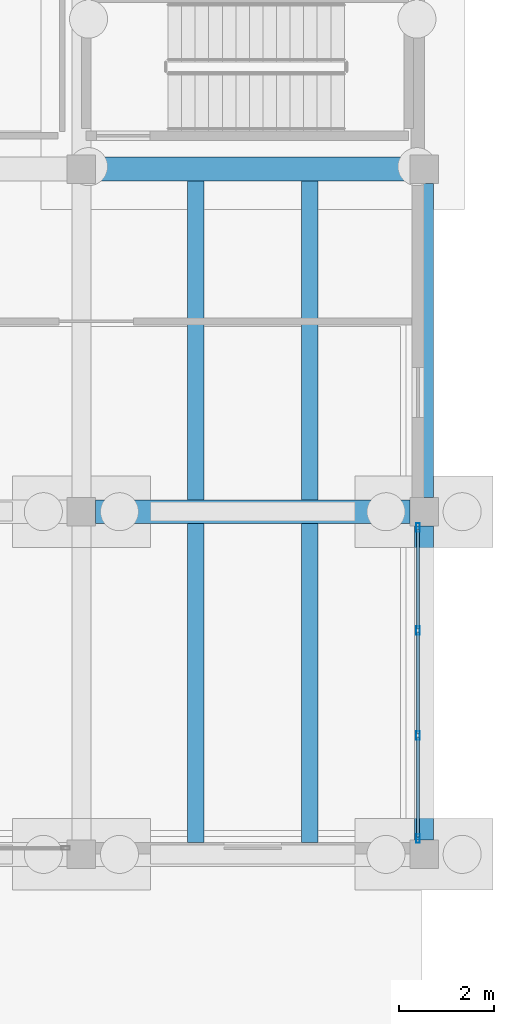
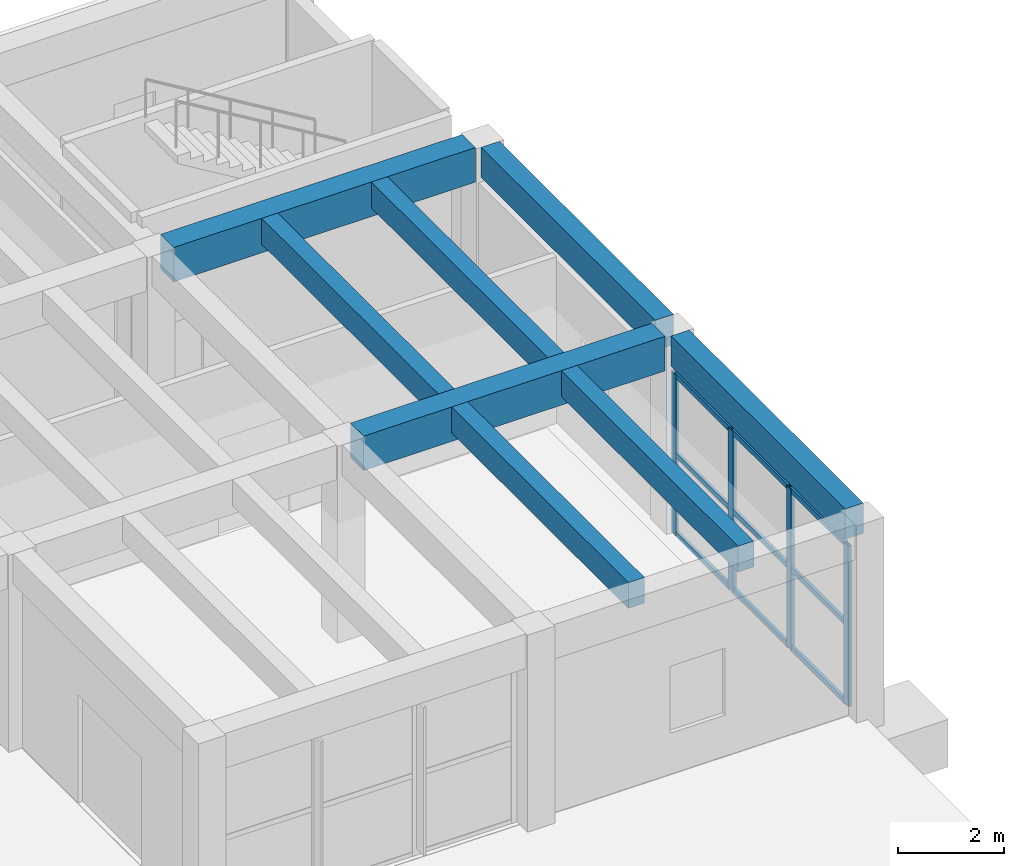
# One storey, part 107 of 155: 13 members, 8 beams, 1 element without a shape of its own.
"""IFC4 building model written with IfcOpenShell, lengths in metres."""

from ifc_helpers import new_model, si_unit, direction, frame, origin, origin_2d, place, context, subcontext, project, spatial, rectangle, hollow_rectangle, extrude, material, material_profile, profile_set, type_object, element, aggregate, save


model = new_model("IFC4")

# Units and contexts
model_context = context("Model", 3, precision=1e-05, world=origin(), true_north=direction((0.0, 1.0)))
body_context = subcontext(model_context, "Body", "Model", "MODEL_VIEW")
ifc_project = project(units=[si_unit("LENGTHUNIT", "METRE"), si_unit("AREAUNIT", "SQUARE_METRE"), si_unit("VOLUMEUNIT", "CUBIC_METRE"), si_unit("PLANEANGLEUNIT", "RADIAN"), si_unit("MASSUNIT", "GRAM", prefix="KILO")], contexts=[model_context])

# Site, building, storey
site_placement = place(None, origin())
site = spatial("IfcSite", under=ifc_project, at=site_placement, CompositionType="ELEMENT")
building_placement = place(site_placement, origin())
building = spatial("IfcBuilding", under=site, at=building_placement, Name="Bramvelor Terrace Health Centre", CompositionType="ELEMENT")
storey_placement = place(building_placement, origin())
storey = spatial("IfcBuildingStorey", under=building, at=storey_placement, Name="L01", CompositionType="ELEMENT", Elevation=0.0)

# Beams
ifc_material_1 = material(Name="Concrete C40/50", Category="concrete")
ifc_material_profile_1 = material_profile(ifc_material_1, rectangle(XDim=0.5, YDim=0.800048828125, at=origin_2d()), Name="RC 500x800")
ifc_profile_set_1 = profile_set([ifc_material_profile_1], Name="Concrete C40/50")
beam_type_1 = type_object("IfcBeamType", Name="BM-RC-G800", PredefinedType="BEAM", material=ifc_profile_set_1)
for number, where, z_axis, x_axis, name in (
    (1, (158.699951171875, 50.39990234375, 4.159912109375), (1.0, 0.0, 0.0), (0.0, 1.0, 0.0), "L01 Floor Girder"),
    (2, (158.699951171875, 57.60009765625, 4.159912109375), (1.0, 0.0, 0.0), (0.0, 1.0, 0.0), "L01 Floor Girder"),
):
    element("IfcBeam", number, at=place(storey_placement, frame(where, z_axis=z_axis, x_axis=x_axis)), inside=storey, type_object=beam_type_1, Name=name, PredefinedType="BEAM", context=body_context, shape_type="SweptSolid", body=[
        extrude(rectangle(XDim=0.5, YDim=0.800048828125, at=origin_2d()), origin(), (0.0, 0.0, 1.0), 6.60009765625),
    ])
ifc_material_2 = material(Name="Concrete C40/50", Category="concrete")
ifc_material_profile_2 = material_profile(ifc_material_2, rectangle(XDim=0.35009765625, YDim=0.60009765625, at=origin_2d()), Name="RC 350x600")
ifc_profile_set_2 = profile_set([ifc_material_profile_2], Name="Concrete C40/50")
beam_type_2 = type_object("IfcBeamType", Name="BM-RC-J600", PredefinedType="JOIST", material=ifc_profile_set_2)
for number, where, z_axis, x_axis, name in (
    (3, (160.800048828125, 43.449951171875, 4.260009765625), (0.0, 1.0, 0.0), (-1.0, 0.0, 0.0), "L01 Secondary Floor Joist"),
    (4, (163.199951171875, 43.449951171875, 4.260009765625), (0.0, 1.0, 0.0), (-1.0, 0.0, 0.0), "L01 Secondary Floor Joist"),
):
    element("IfcBeam", number, at=place(storey_placement, frame(where, z_axis=z_axis, x_axis=x_axis)), inside=storey, type_object=beam_type_2, Name=name, PredefinedType="JOIST", context=body_context, shape_type="SweptSolid", body=[
        extrude(rectangle(XDim=0.35009765625, YDim=0.60009765625, at=origin_2d()), origin(), (0.0, 0.0, 1.0), 6.699951171875),
    ])
for number, where, z_axis, x_axis, name in (
    (5, (160.800048828125, 50.64990234375, 4.260009765625), (0.0, 1.0, 0.0), (-1.0, 0.0, 0.0), "L01 Secondary Floor Joist"),
    (6, (163.199951171875, 50.64990234375, 4.260009765625), (0.0, 1.0, 0.0), (-1.0, 0.0, 0.0), "L01 Secondary Floor Joist"),
):
    element("IfcBeam", number, at=place(storey_placement, frame(where, z_axis=z_axis, x_axis=x_axis)), inside=storey, type_object=beam_type_2, Name=name, PredefinedType="JOIST", context=body_context, shape_type="SweptSolid", body=[
        extrude(rectangle(XDim=0.35009765625, YDim=0.60009765625, at=origin_2d()), origin(), (0.0, 0.0, 1.0), 6.7001953125),
    ])
ifc_material_3 = material(Name="Concrete C40/50", Category="concrete")
ifc_material_profile_3 = material_profile(ifc_material_3, rectangle(XDim=0.39990234375, YDim=0.699951171875, at=origin_2d()), Name="RC 400x700")
ifc_profile_set_3 = profile_set([ifc_material_profile_3], Name="Concrete C40/50")
beam_type_3 = type_object("IfcBeamType", Name="BM-RC-SP700-EXT", PredefinedType="SPANDREL", material=ifc_profile_set_3)
for number, where, z_axis, x_axis, name in (
    (7, (165.60009765625, 43.5, 4.2099609375), (0.0, 1.0, 0.0), (-1.0, 0.0, 0.0), "L01 Floor Girder"),
    (8, (165.60009765625, 50.699951171875, 4.2099609375), (0.0, 1.0, 0.0), (-1.0, 0.0, 0.0), "L01 Floor Girder"),
):
    element("IfcBeam", number, at=place(storey_placement, frame(where, z_axis=z_axis, x_axis=x_axis)), inside=storey, type_object=beam_type_3, Name=name, PredefinedType="SPANDREL", context=body_context, shape_type="SweptSolid", body=[
        extrude(rectangle(XDim=0.39990234375, YDim=0.699951171875, at=origin_2d()), origin(), (0.0, 0.0, 1.0), 6.60009765625),
    ])

# Curtain wall, members
ifc_material_4 = material(Name="Anodized aluminium and double low-E glass", Category="aluminium")
curtain_wall_type = type_object("IfcCurtainWallType", Name="CW-SYS-02", PredefinedType="NOTDEFINED", material=ifc_material_4)
curtain_wall_placement = place(storey_placement, origin())
curtain_wall = element("IfcCurtainWall", 9, at=curtain_wall_placement, inside=storey, type_object=curtain_wall_type, Name="L01 Unitized Curtain Wall 40", PredefinedType="NOTDEFINED")
ifc_material_5 = material(Name="Anodized aluminium 6063-T6", Category="aluminium")
ifc_material_profile_4 = material_profile(ifc_material_5, hollow_rectangle(XDim=0.074951171875, YDim=0.179931640625, WallThickness=0.00341796875, at=origin_2d()), Name="ALU-MUL 75x180x3.5")
ifc_profile_set_4 = profile_set([ifc_material_profile_4], Name="Anodized aluminium 6063-T6")
member_type_1 = type_object("IfcMemberType", Name="CW-MUL-65x180", PredefinedType="MULLION", material=ifc_profile_set_4)
member_1_placement = place(storey_placement, frame((165.469970703125, 50.0673828125, 0.0), z_axis=(0.0, 0.0, 1.0), x_axis=(1.0, 0.0, 0.0)))
member_1 = element("IfcMember", 10, at=member_1_placement, type_object=member_type_1, Name="CW-02 mullion 1", PredefinedType="MULLION", context=body_context, shape_type="SweptSolid", body=[
    extrude(hollow_rectangle(XDim=0.074951171875, YDim=0.179931640625, WallThickness=0.00341796875, at=origin_2d()), origin(), (0.0, 0.0, 1.0), 3.719970703125),
])
member_2_placement = place(storey_placement, frame((165.469970703125, 47.901611328125, 0.0), z_axis=(0.0, 0.0, 1.0), x_axis=(1.0, 0.0, 0.0)))
member_2 = element("IfcMember", 11, at=member_2_placement, type_object=member_type_1, Name="CW-02 mullion 2", PredefinedType="MULLION", context=body_context, shape_type="SweptSolid", body=[
    extrude(hollow_rectangle(XDim=0.074951171875, YDim=0.179931640625, WallThickness=0.00341796875, at=origin_2d()), origin(), (0.0, 0.0, 1.0), 3.719970703125),
])
member_3_placement = place(storey_placement, frame((165.469970703125, 45.6982421875, 0.0), z_axis=(0.0, 0.0, 1.0), x_axis=(1.0, 0.0, 0.0)))
member_3 = element("IfcMember", 12, at=member_3_placement, type_object=member_type_1, Name="CW-02 mullion 3", PredefinedType="MULLION", context=body_context, shape_type="SweptSolid", body=[
    extrude(hollow_rectangle(XDim=0.074951171875, YDim=0.179931640625, WallThickness=0.00341796875, at=origin_2d()), origin(), (0.0, 0.0, 1.0), 3.719970703125),
])
member_4_placement = place(storey_placement, frame((165.469970703125, 43.532470703125, 0.0), z_axis=(0.0, 0.0, 1.0), x_axis=(1.0, 0.0, 0.0)))
member_4 = element("IfcMember", 13, at=member_4_placement, type_object=member_type_1, Name="CW-02 mullion 4", PredefinedType="MULLION", context=body_context, shape_type="SweptSolid", body=[
    extrude(hollow_rectangle(XDim=0.074951171875, YDim=0.179931640625, WallThickness=0.00341796875, at=origin_2d()), origin(), (0.0, 0.0, 1.0), 3.719970703125),
])
ifc_material_6 = material(Name="Anodized aluminium 6063-T6", Category="aluminium")
ifc_material_profile_5 = material_profile(ifc_material_6, hollow_rectangle(XDim=0.06494140625, YDim=0.1201171875, WallThickness=0.0029296875, at=origin_2d()), Name="ALU-TRN 65x120x3.0")
ifc_profile_set_5 = profile_set([ifc_material_profile_5], Name="Anodized aluminium 6063-T6")
member_type_2 = type_object("IfcMemberType", Name="CW-TRN-65x150", PredefinedType="USERDEFINED", material=ifc_profile_set_5)
member_5_placement = place(storey_placement, frame((165.469970703125, 50.030029296875, 0.032470703125), z_axis=(0.0, -1.0, 0.0), x_axis=(1.0, 0.0, 0.0)))
member_5 = element("IfcMember", 14, at=member_5_placement, type_object=member_type_2, Name="CW-02 transom 1.1", ObjectType="TRANSOM", PredefinedType="USERDEFINED", context=body_context, shape_type="SweptSolid", body=[
    extrude(hollow_rectangle(XDim=0.06494140625, YDim=0.1201171875, WallThickness=0.0029296875, at=origin_2d()), origin(), (0.0, 0.0, 1.0), 2.0908203125),
])
member_6_placement = place(storey_placement, frame((165.469970703125, 50.030029296875, 1.860107421875), z_axis=(0.0, -1.0, 0.0), x_axis=(1.0, 0.0, 0.0)))
member_6 = element("IfcMember", 15, at=member_6_placement, type_object=member_type_2, Name="CW-02 transom 1.2", ObjectType="TRANSOM", PredefinedType="USERDEFINED", context=body_context, shape_type="SweptSolid", body=[
    extrude(hollow_rectangle(XDim=0.06494140625, YDim=0.1201171875, WallThickness=0.0029296875, at=origin_2d()), origin(), (0.0, 0.0, 1.0), 2.0908203125),
])
member_7_placement = place(storey_placement, frame((165.469970703125, 50.030029296875, 3.6875), z_axis=(0.0, -1.0, 0.0), x_axis=(1.0, 0.0, 0.0)))
member_7 = element("IfcMember", 16, at=member_7_placement, type_object=member_type_2, Name="CW-02 transom 1.3", ObjectType="TRANSOM", PredefinedType="USERDEFINED", context=body_context, shape_type="SweptSolid", body=[
    extrude(hollow_rectangle(XDim=0.06494140625, YDim=0.1201171875, WallThickness=0.0029296875, at=origin_2d()), origin(), (0.0, 0.0, 1.0), 2.0908203125),
])
member_8_placement = place(storey_placement, frame((165.469970703125, 47.8642578125, 0.032470703125), z_axis=(0.0, -1.0, 0.0), x_axis=(1.0, 0.0, 0.0)))
member_8 = element("IfcMember", 17, at=member_8_placement, type_object=member_type_2, Name="CW-02 transom 2.1", ObjectType="TRANSOM", PredefinedType="USERDEFINED", context=body_context, shape_type="SweptSolid", body=[
    extrude(hollow_rectangle(XDim=0.06494140625, YDim=0.1201171875, WallThickness=0.0029296875, at=origin_2d()), origin(), (0.0, 0.0, 1.0), 2.12841796875),
])
member_9_placement = place(storey_placement, frame((165.469970703125, 47.8642578125, 1.860107421875), z_axis=(0.0, -1.0, 0.0), x_axis=(1.0, 0.0, 0.0)))
member_9 = element("IfcMember", 18, at=member_9_placement, type_object=member_type_2, Name="CW-02 transom 2.2", ObjectType="TRANSOM", PredefinedType="USERDEFINED", context=body_context, shape_type="SweptSolid", body=[
    extrude(hollow_rectangle(XDim=0.06494140625, YDim=0.1201171875, WallThickness=0.0029296875, at=origin_2d()), origin(), (0.0, 0.0, 1.0), 2.12841796875),
])
member_10_placement = place(storey_placement, frame((165.469970703125, 47.8642578125, 3.6875), z_axis=(0.0, -1.0, 0.0), x_axis=(1.0, 0.0, 0.0)))
member_10 = element("IfcMember", 19, at=member_10_placement, type_object=member_type_2, Name="CW-02 transom 2.3", ObjectType="TRANSOM", PredefinedType="USERDEFINED", context=body_context, shape_type="SweptSolid", body=[
    extrude(hollow_rectangle(XDim=0.06494140625, YDim=0.1201171875, WallThickness=0.0029296875, at=origin_2d()), origin(), (0.0, 0.0, 1.0), 2.12841796875),
])
member_11_placement = place(storey_placement, frame((165.469970703125, 45.660888671875, 0.032470703125), z_axis=(0.0, -1.0, 0.0), x_axis=(1.0, 0.0, 0.0)))
member_11 = element("IfcMember", 20, at=member_11_placement, type_object=member_type_2, Name="CW-02 transom 3.1", ObjectType="TRANSOM", PredefinedType="USERDEFINED", context=body_context, shape_type="SweptSolid", body=[
    extrude(hollow_rectangle(XDim=0.06494140625, YDim=0.1201171875, WallThickness=0.0029296875, at=origin_2d()), origin(), (0.0, 0.0, 1.0), 2.0908203125),
])
member_12_placement = place(storey_placement, frame((165.469970703125, 45.660888671875, 1.860107421875), z_axis=(0.0, -1.0, 0.0), x_axis=(1.0, 0.0, 0.0)))
member_12 = element("IfcMember", 21, at=member_12_placement, type_object=member_type_2, Name="CW-02 transom 3.2", ObjectType="TRANSOM", PredefinedType="USERDEFINED", context=body_context, shape_type="SweptSolid", body=[
    extrude(hollow_rectangle(XDim=0.06494140625, YDim=0.1201171875, WallThickness=0.0029296875, at=origin_2d()), origin(), (0.0, 0.0, 1.0), 2.0908203125),
])
member_13_placement = place(storey_placement, frame((165.469970703125, 45.660888671875, 3.6875), z_axis=(0.0, -1.0, 0.0), x_axis=(1.0, 0.0, 0.0)))
member_13 = element("IfcMember", 22, at=member_13_placement, type_object=member_type_2, Name="CW-02 transom 3.3", ObjectType="TRANSOM", PredefinedType="USERDEFINED", context=body_context, shape_type="SweptSolid", body=[
    extrude(hollow_rectangle(XDim=0.06494140625, YDim=0.1201171875, WallThickness=0.0029296875, at=origin_2d()), origin(), (0.0, 0.0, 1.0), 2.0908203125),
])
aggregate(curtain_wall, [member_1, member_2, member_3, member_4, member_5, member_6, member_7, member_8, member_9, member_10, member_11, member_12, member_13])

save(model, "model.ifc")
